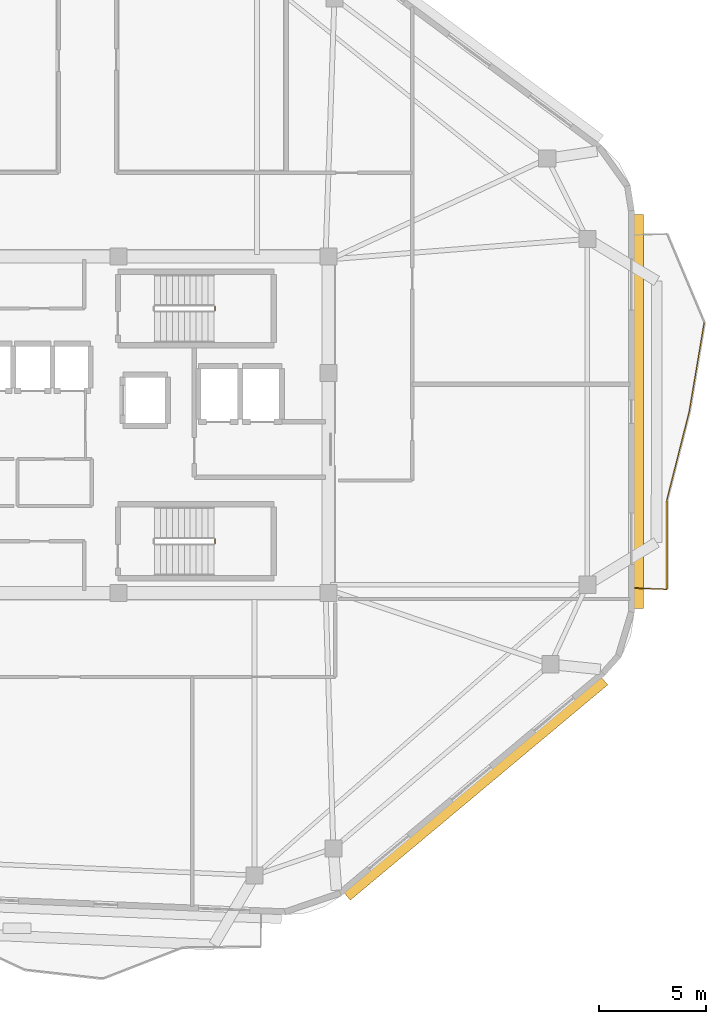
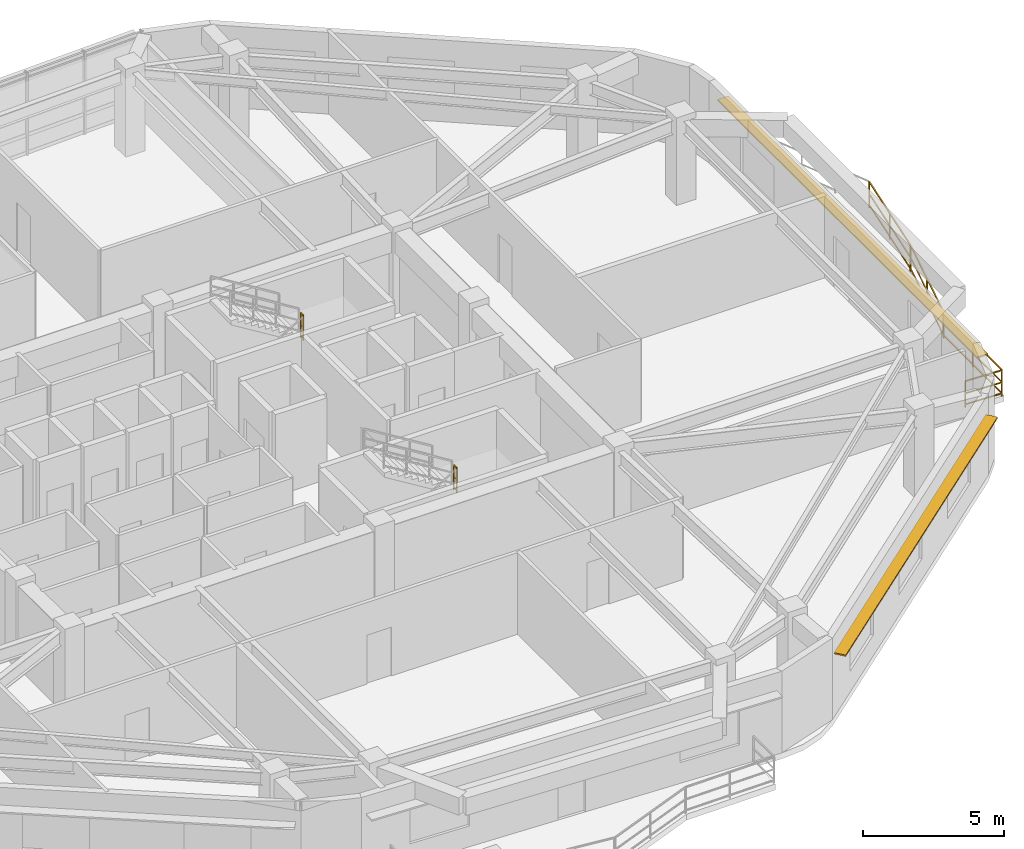
# One storey, part 11 of 12: 6 railings, 2 shading devices.
"""IFC4 building model written with IfcOpenShell, lengths in metres."""

from ifc_helpers import new_model, si_unit, direction, frame, origin, origin_2d, place, context, subcontext, project, spatial, rectangle, extrude, material, layer, layer_set, type_object, element, save


model = new_model("IFC4")

# Units and contexts
model_context = context("Model", 3, precision=1e-05, world=origin(), true_north=direction((0.0, 1.0)))
body_context = subcontext(model_context, "Body", "Model", "MODEL_VIEW")
ifc_project = project(units=[si_unit("LENGTHUNIT", "METRE"), si_unit("AREAUNIT", "SQUARE_METRE"), si_unit("VOLUMEUNIT", "CUBIC_METRE"), si_unit("PLANEANGLEUNIT", "RADIAN"), si_unit("MASSUNIT", "GRAM", prefix="KILO")], contexts=[model_context])

# Site, building, storey
site_placement = place(None, origin())
site = spatial("IfcSite", under=ifc_project, at=site_placement, CompositionType="ELEMENT")
building_placement = place(site_placement, origin())
building = spatial("IfcBuilding", under=site, at=building_placement, Name="Zulverin Broadcast Headquarters", CompositionType="ELEMENT")
storey_placement = place(building_placement, frame((0.0, 0.0, 289.60009765625)))
storey = spatial("IfcBuildingStorey", under=building, at=storey_placement, Name="L74", CompositionType="ELEMENT", Elevation=289.60009765625)

# Railings
ifc_material_1 = material(Name="Brushed stainless steel & laminated glass balustrade", Category="steel")
railing_type_1 = type_object("IfcRailingType", Name="RL-GUARD-1150", PredefinedType="GUARDRAIL", material=ifc_material_1)
railing_1_placement = place(storey_placement, frame((62.639892578125, 17.555419921875, 0.0)))
element("IfcRailing", 1, at=railing_1_placement, inside=storey, type_object=railing_type_1, Name="L74 Vertical-Forest Balcony Guardrail BAL_E Segment 01", PredefinedType="GUARDRAIL", context=body_context, shape_type="SweptSolid", body=[
    extrude(rectangle(XDim=0.048095703125, YDim=0.048095703125, at=origin_2d()), frame((0.0, 0.0, 1.1259765625), z_axis=(0.999181155166, -0.040460093435, 0.0), x_axis=(0.040460093435, 0.999181155166, 0.0)), (0.0, 0.0, 1.0), 1.46630859375),
    extrude(rectangle(XDim=0.0419921875, YDim=0.0419921875, at=origin_2d()), frame((0.0, 0.0, 0.597900390625), z_axis=(0.999181155166, -0.040460093435, 0.0), x_axis=(0.040460093435, 0.999181155166, 0.0)), (0.0, 0.0, 1.0), 1.46630859375),
    extrude(rectangle(XDim=0.0419921875, YDim=0.0419921875, at=origin_2d()), frame((0.0, 0.0, 0.1201171875), z_axis=(0.999181155166, -0.040460093435, 0.0), x_axis=(0.040460093435, 0.999181155166, 0.0)), (0.0, 0.0, 1.0), 1.46630859375),
    extrude(rectangle(XDim=0.0419921875, YDim=0.0419921875, at=origin_2d()), origin(), (0.0, 0.0, 1.0), 1.101806640625),
    extrude(rectangle(XDim=0.0419921875, YDim=0.0419921875, at=origin_2d()), frame((1.465087890625, -0.059326171875, 0.0)), (0.0, 0.0, 1.0), 1.101806640625),
])
railing_2_placement = place(storey_placement, frame((64.1201171875, 17.510498046875, 0.0)))
element("IfcRailing", 2, at=railing_2_placement, inside=storey, type_object=railing_type_1, Name="L74 Vertical-Forest Balcony Guardrail BAL_E Segment 02", PredefinedType="GUARDRAIL", context=body_context, shape_type="SweptSolid", body=[
    extrude(rectangle(XDim=0.048095703125, YDim=0.048095703125, at=origin_2d()), frame((0.0, 0.0, 1.1259765625), z_axis=(0.0, 1.0, 0.0), x_axis=(-1.0, 0.0, 0.0)), (0.0, 0.0, 1.0), 4.133544921875),
    extrude(rectangle(XDim=0.0419921875, YDim=0.0419921875, at=origin_2d()), frame((0.0, 0.0, 0.597900390625), z_axis=(0.0, 1.0, 0.0), x_axis=(-1.0, 0.0, 0.0)), (0.0, 0.0, 1.0), 4.133544921875),
    extrude(rectangle(XDim=0.0419921875, YDim=0.0419921875, at=origin_2d()), frame((0.0, 0.0, 0.1201171875), z_axis=(0.0, 1.0, 0.0), x_axis=(-1.0, 0.0, 0.0)), (0.0, 0.0, 1.0), 4.133544921875),
    extrude(rectangle(XDim=0.0419921875, YDim=0.0419921875, at=origin_2d()), origin(), (0.0, 0.0, 1.0), 1.101806640625),
    extrude(rectangle(XDim=0.0419921875, YDim=0.0419921875, at=origin_2d()), frame((0.0, 2.06689453125, 0.0)), (0.0, 0.0, 1.0), 1.101806640625),
    extrude(rectangle(XDim=0.0419921875, YDim=0.0419921875, at=origin_2d()), frame((0.0, 4.133544921875, 0.0)), (0.0, 0.0, 1.0), 1.101806640625),
])
railing_3_placement = place(storey_placement, frame((64.123779296875, 21.673583984375, 0.0)))
element("IfcRailing", 3, at=railing_3_placement, inside=storey, type_object=railing_type_1, Name="L74 Vertical-Forest Balcony Guardrail BAL_E Segment 03", PredefinedType="GUARDRAIL", context=body_context, shape_type="SweptSolid", body=[
    extrude(rectangle(XDim=0.048095703125, YDim=0.048095703125, at=origin_2d()), frame((0.0, 0.0, 1.1259765625), z_axis=(0.245336068755, 0.96943809156, 0.0), x_axis=(-0.96943809156, 0.245336068755, 0.0)), (0.0, 0.0, 1.0), 4.26513671875),
    extrude(rectangle(XDim=0.0419921875, YDim=0.0419921875, at=origin_2d()), frame((0.0, 0.0, 0.597900390625), z_axis=(0.245336068755, 0.96943809156, 0.0), x_axis=(-0.96943809156, 0.245336068755, 0.0)), (0.0, 0.0, 1.0), 4.26513671875),
    extrude(rectangle(XDim=0.0419921875, YDim=0.0419921875, at=origin_2d()), frame((0.0, 0.0, 0.1201171875), z_axis=(0.245336068755, 0.96943809156, 0.0), x_axis=(-0.96943809156, 0.245336068755, 0.0)), (0.0, 0.0, 1.0), 4.26513671875),
    extrude(rectangle(XDim=0.0419921875, YDim=0.0419921875, at=origin_2d()), origin(), (0.0, 0.0, 1.0), 1.101806640625),
    extrude(rectangle(XDim=0.0419921875, YDim=0.0419921875, at=origin_2d()), frame((0.523193359375, 2.0673828125, 0.0)), (0.0, 0.0, 1.0), 1.101806640625),
    extrude(rectangle(XDim=0.0419921875, YDim=0.0419921875, at=origin_2d()), frame((1.04638671875, 4.134765625, 0.0)), (0.0, 0.0, 1.0), 1.101806640625),
])
railing_4_placement = place(storey_placement, frame((65.17626953125, 25.837646484375, 0.0)))
element("IfcRailing", 4, at=railing_4_placement, inside=storey, type_object=railing_type_1, Name="L74 Vertical-Forest Balcony Guardrail BAL_E Segment 04", PredefinedType="GUARDRAIL", context=body_context, shape_type="SweptSolid", body=[
    extrude(rectangle(XDim=0.048095703125, YDim=0.048095703125, at=origin_2d()), frame((0.0, 0.0, 1.1259765625), z_axis=(0.16586263342, 0.986148866467, 0.0), x_axis=(-0.986148866467, 0.16586263342, 0.0)), (0.0, 0.0, 1.0), 4.192138671875),
    extrude(rectangle(XDim=0.0419921875, YDim=0.0419921875, at=origin_2d()), frame((0.0, 0.0, 0.597900390625), z_axis=(0.16586263342, 0.986148866467, 0.0), x_axis=(-0.986148866467, 0.16586263342, 0.0)), (0.0, 0.0, 1.0), 4.192138671875),
    extrude(rectangle(XDim=0.0419921875, YDim=0.0419921875, at=origin_2d()), frame((0.0, 0.0, 0.1201171875), z_axis=(0.16586263342, 0.986148866467, 0.0), x_axis=(-0.986148866467, 0.16586263342, 0.0)), (0.0, 0.0, 1.0), 4.192138671875),
    extrude(rectangle(XDim=0.0419921875, YDim=0.0419921875, at=origin_2d()), origin(), (0.0, 0.0, 1.0), 1.101806640625),
    extrude(rectangle(XDim=0.0419921875, YDim=0.0419921875, at=origin_2d()), frame((0.34765625, 2.06689453125, 0.0)), (0.0, 0.0, 1.0), 1.101806640625),
    extrude(rectangle(XDim=0.0419921875, YDim=0.0419921875, at=origin_2d()), frame((0.6953125, 4.134033203125, 0.0)), (0.0, 0.0, 1.0), 1.101806640625),
])
ifc_material_2 = material(Name="Painted galvanized steel tubular guardrail S355JR", Category="steel")
railing_type_2 = type_object("IfcRailingType", Name="RL-ST-GUARD", PredefinedType="GUARDRAIL", material=ifc_material_2)
railing_5_placement = place(storey_placement, frame((42.97998046875, 30.550048828125, 1.89990234375)))
element("IfcRailing", 5, at=railing_5_placement, inside=storey, type_object=railing_type_2, Name="L74 ST-1 stair guard 2", PredefinedType="GUARDRAIL", context=body_context, shape_type="SweptSolid", body=[
    extrude(rectangle(XDim=0.048095703125, YDim=0.048095703125, at=origin_2d()), frame((0.0, 0.0, 1.076171875), z_axis=(0.0, 1.0, 0.0), x_axis=(-1.0, 0.0, 0.0)), (0.0, 0.0, 1.0), 0.199951171875),
    extrude(rectangle(XDim=0.0419921875, YDim=0.0419921875, at=origin_2d()), frame((0.0, 0.0, 0.572021484375), z_axis=(0.0, 1.0, 0.0), x_axis=(-1.0, 0.0, 0.0)), (0.0, 0.0, 1.0), 0.199951171875),
    extrude(rectangle(XDim=0.0419921875, YDim=0.0419921875, at=origin_2d()), frame((0.0, 0.0, 0.1201171875), z_axis=(0.0, 1.0, 0.0), x_axis=(-1.0, 0.0, 0.0)), (0.0, 0.0, 1.0), 0.199951171875),
    extrude(rectangle(XDim=0.0419921875, YDim=0.0419921875, at=origin_2d()), origin(), (0.0, 0.0, 1.0), 1.052001953125),
    extrude(rectangle(XDim=0.0419921875, YDim=0.0419921875, at=origin_2d()), frame((0.0, 0.199951171875, 0.0)), (0.0, 0.0, 1.0), 1.052001953125),
])
railing_6_placement = place(storey_placement, frame((42.97998046875, 19.64990234375, 1.89990234375)))
element("IfcRailing", 6, at=railing_6_placement, inside=storey, type_object=railing_type_2, Name="L74 ST-2 stair guard 2", PredefinedType="GUARDRAIL", context=body_context, shape_type="SweptSolid", body=[
    extrude(rectangle(XDim=0.048095703125, YDim=0.048095703125, at=origin_2d()), frame((0.0, 0.0, 1.076171875), z_axis=(0.0, 1.0, 0.0), x_axis=(-1.0, 0.0, 0.0)), (0.0, 0.0, 1.0), 0.2001953125),
    extrude(rectangle(XDim=0.0419921875, YDim=0.0419921875, at=origin_2d()), frame((0.0, 0.0, 0.572021484375), z_axis=(0.0, 1.0, 0.0), x_axis=(-1.0, 0.0, 0.0)), (0.0, 0.0, 1.0), 0.2001953125),
    extrude(rectangle(XDim=0.0419921875, YDim=0.0419921875, at=origin_2d()), frame((0.0, 0.0, 0.1201171875), z_axis=(0.0, 1.0, 0.0), x_axis=(-1.0, 0.0, 0.0)), (0.0, 0.0, 1.0), 0.2001953125),
    extrude(rectangle(XDim=0.0419921875, YDim=0.0419921875, at=origin_2d()), origin(), (0.0, 0.0, 1.0), 1.052001953125),
    extrude(rectangle(XDim=0.0419921875, YDim=0.0419921875, at=origin_2d()), frame((0.0, 0.2001953125, 0.0)), (0.0, 0.0, 1.0), 1.052001953125),
])

# Shading devices
ifc_material_3 = material(Name="Anodized pale-metal aluminium sunshade", Category="aluminium")
ifc_layer = layer(ifc_material_3, 0.06005859375, Name="Anodized pale-metal aluminium sunshade", Category="aluminium")
ifc_layer_set = layer_set([ifc_layer], Name="Anodized pale-metal aluminium sunshade")
shading_device_type = type_object("IfcShadingDeviceType", Name="SS-01_PALE_METAL_ALUMINIUM_SUNSHADE", PredefinedType="USERDEFINED", material=ifc_layer_set)
shading_device_1_placement = place(storey_placement, frame((55.186767578125, 8.158203125, 2.7099609375), z_axis=(0.0, 0.0, 1.0), x_axis=(0.76703526936, 0.641604937292, 0.0)))
element("IfcShadingDevice", 7, at=shading_device_1_placement, inside=storey, type_object=shading_device_type, Name="L74 Horizontal Pale-Metal Sunshade Band 2", ObjectType="SUNSHADE", PredefinedType="USERDEFINED", context=body_context, shape_type="SweptSolid", body=[
    extrude(rectangle(XDim=15.71337890625, YDim=0.449951171875, at=origin_2d()), origin(), (0.0, 0.0, 1.0), 0.06005859375),
])
shading_device_2_placement = place(storey_placement, frame((62.800048828125, 25.82275390625, 2.7099609375), z_axis=(0.0, 0.0, 1.0), x_axis=(0.0, 1.0, 0.0)))
element("IfcShadingDevice", 8, at=shading_device_2_placement, inside=storey, type_object=shading_device_type, Name="L74 Horizontal Pale-Metal Sunshade Band 3", ObjectType="SUNSHADE", PredefinedType="USERDEFINED", context=body_context, shape_type="SweptSolid", body=[
    extrude(rectangle(XDim=18.45458984375, YDim=0.449951171875, at=origin_2d()), origin(), (0.0, 0.0, 1.0), 0.06005859375),
])

save(model, "model.ifc")
